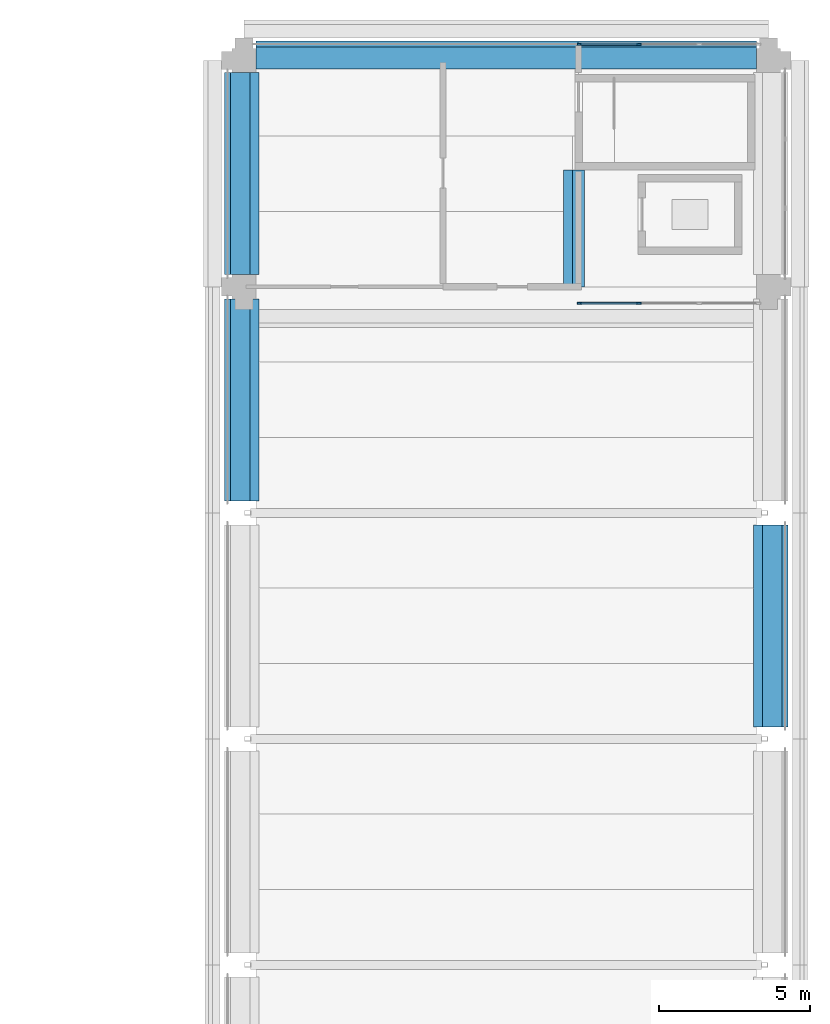
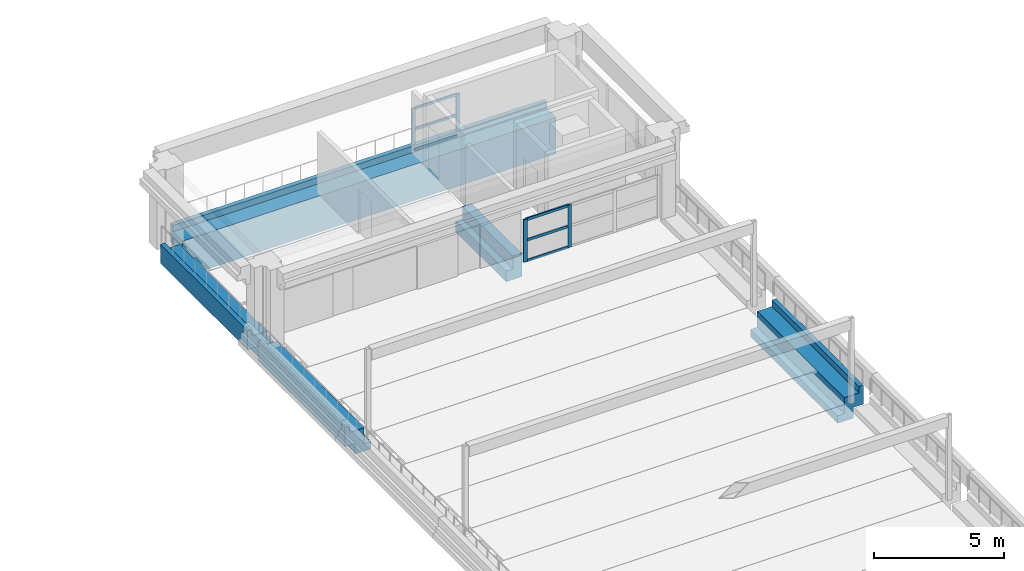
# One storey, part 32 of 62: 10 members, 5 beams, 2 elements without a shape of their own.
"""IFC4 building model written with IfcOpenShell, lengths in metres."""

import ifcopenshell
import ifcopenshell.guid

model = None  # the IFC model being written
_history = None  # IfcOwnerHistory: only IFC2X3 demands one
_inside = {}  # id of a spatial element -> (the spatial element, [elements in it])
_under = {}  # id of a project, library or spatial element -> (it, [spatial elements below it])
_declared = {}  # id of a project -> (the project, [libraries it declares])
_typed = {}  # id of a type object -> (the type object, [elements of that type])
_made_of = {}  # id of a material, layer set ... -> (it, [elements and type objects made of it])


def new_model(schema):
    """Start an empty IFC model of exactly this schema.

    Asked for "IFC4X3", IfcOpenShell would pick the latest addendum, in which some entities
    have other attributes; the version numbers below select the first issue.
    IFC2X3 requires an IfcOwnerHistory on every rooted entity: one is made here for all.
    """
    global model, _history
    if schema == "IFC4X3":
        model = ifcopenshell.file(schema_version=(4, 3, 0, 0))
    else:
        model = ifcopenshell.file(schema=schema)
    _inside.clear()
    _under.clear()
    _declared.clear()
    _typed.clear()
    _made_of.clear()
    _history = None
    if model.schema == "IFC2X3":
        org = make("IfcOrganization", Name="unknown")
        user = make(
            "IfcPersonAndOrganization",
            ThePerson=make("IfcPerson", FamilyName="unknown"),
            TheOrganization=org,
        )
        app = make(
            "IfcApplication",
            ApplicationDeveloper=org,
            Version="unknown",
            ApplicationFullName="unknown",
            ApplicationIdentifier="unknown",
        )
        _history = make(
            "IfcOwnerHistory",
            OwningUser=user,
            OwningApplication=app,
            ChangeAction="ADDED",
            CreationDate=0,
        )
    return model


def make(cls, **values):
    """One entity of the class cls with the attributes given. An attribute that is None is left unset."""
    return model.create_entity(
        cls, **{name: value for name, value in values.items() if value is not None}
    )


def rooted(cls, **values):
    """An entity with a GlobalId (a new one), such as an element, a storey or a relation."""
    return make(cls, GlobalId=ifcopenshell.guid.new(), OwnerHistory=_history, **values)


def si_unit(unit_type, name, prefix=None):
    """IfcSIUnit, for example si_unit("LENGTHUNIT", "METRE", prefix="MILLI")."""
    return make("IfcSIUnit", UnitType=unit_type, Prefix=prefix, Name=name)


def assignment(units):
    """IfcUnitAssignment: the units of a project."""
    return None if units is None else make("IfcUnitAssignment", Units=units)


def point(xyz):
    """IfcCartesianPoint."""
    return None if xyz is None else make("IfcCartesianPoint", Coordinates=xyz)


def direction(xyz):
    """IfcDirection."""
    return None if xyz is None else make("IfcDirection", DirectionRatios=xyz)


def frame(location, z_axis=None, x_axis=None):
    """IfcAxis2Placement3D, a coordinate frame: its origin and axes. An axis left out is left unset."""
    return make(
        "IfcAxis2Placement3D",
        Location=point(location),
        Axis=direction(z_axis),
        RefDirection=direction(x_axis),
    )


def frame_2d(location, x_axis=None):
    """IfcAxis2Placement2D, a coordinate frame in the plane: its origin and x axis."""
    return make(
        "IfcAxis2Placement2D", Location=point(location), RefDirection=direction(x_axis)
    )


def origin():
    """The frame at (0, 0, 0) with its axes left unset."""
    return frame((0.0, 0.0, 0.0))


def origin_2d():
    """The frame at (0, 0) in the plane with its x axis left unset."""
    return frame_2d((0.0, 0.0))


def place(relative_to, where):
    """IfcLocalPlacement: puts the frame where relative to a parent placement (None: the world)."""
    return make(
        "IfcLocalPlacement", PlacementRelTo=relative_to, RelativePlacement=where
    )


def context(
    kind, dimensions, precision=None, world=None, true_north=None, identifier=None
):
    """IfcGeometricRepresentationContext, for example the 3D "Model" context."""
    return make(
        "IfcGeometricRepresentationContext",
        ContextIdentifier=identifier,
        ContextType=kind,
        CoordinateSpaceDimension=dimensions,
        Precision=precision,
        WorldCoordinateSystem=world,
        TrueNorth=true_north,
    )


def subcontext(parent, identifier, kind, view, scale=None):
    """IfcGeometricRepresentationSubContext, for example "Body" below "Model"."""
    return make(
        "IfcGeometricRepresentationSubContext",
        ContextIdentifier=identifier,
        ContextType=kind,
        ParentContext=parent,
        TargetScale=scale,
        TargetView=view,
    )


def project(units=None, contexts=None):
    """IfcProject with its units and contexts."""
    return rooted(
        "IfcProject",
        Name="project",
        RepresentationContexts=contexts,
        UnitsInContext=assignment(units),
    )


def spatial(cls, under=None, at=None, **own):
    """A site, building, storey or space (cls), placed at a placement, below another one or the project."""
    s = rooted(cls, ObjectPlacement=at, **own)
    if under is not None:
        _under.setdefault(under.id(), (under, []))[1].append(s)
    return s


def polyline(points):
    """IfcPolyline through the points."""
    return make("IfcPolyline", Points=[point(p) for p in points])


def profile(cls, at=None, kind="AREA", **sizes):
    """A parametric profile (cls). Its sizes go by their IFC names, for example OverallWidth=200.0."""
    return make(cls, ProfileType=kind, Position=at, **sizes)


def rectangle(**sizes):
    """IfcRectangleProfileDef."""
    return profile("IfcRectangleProfileDef", **sizes)


def outline(outer, holes=None, kind="AREA"):
    """IfcArbitraryClosedProfileDef: a profile drawn as a closed curve; with holes, ...WithVoids."""
    if holes is None:
        return make("IfcArbitraryClosedProfileDef", ProfileType=kind, OuterCurve=outer)
    return make(
        "IfcArbitraryProfileDefWithVoids",
        ProfileType=kind,
        OuterCurve=outer,
        InnerCurves=holes,
    )


def extrude(swept, where, along, depth):
    """IfcExtrudedAreaSolid: the profile swept, set in the frame where, extruded along a direction by depth."""
    return make(
        "IfcExtrudedAreaSolid",
        SweptArea=swept,
        Position=where,
        ExtrudedDirection=direction(along),
        Depth=depth,
    )


def shape(context_of_items, identifier, shape_type, items):
    """IfcShapeRepresentation: the items that make up one representation, for example the "Body"."""
    return make(
        "IfcShapeRepresentation",
        ContextOfItems=context_of_items,
        RepresentationIdentifier=identifier,
        RepresentationType=shape_type,
        Items=items,
    )


def material(Name=None, Category=None):
    """IfcMaterial."""
    return make("IfcMaterial", Name=Name, Category=Category)


def layer(
    of_material, thickness, ventilated=None, Name=None, Category=None, Priority=None
):
    """IfcMaterialLayer: one layer of a wall or slab, of a material (None: an air gap)."""
    return make(
        "IfcMaterialLayer",
        Material=of_material,
        LayerThickness=thickness,
        IsVentilated=ventilated,
        Name=Name,
        Category=Category,
        Priority=Priority,
    )


def layer_set(layers, Name=None):
    """IfcMaterialLayerSet."""
    return make("IfcMaterialLayerSet", MaterialLayers=layers, LayerSetName=Name)


def material_profile(
    of_material, cross_section, Name=None, Category=None, Priority=None
):
    """IfcMaterialProfile: a cross section and its material."""
    return make(
        "IfcMaterialProfile",
        Name=Name,
        Material=of_material,
        Profile=cross_section,
        Priority=Priority,
        Category=Category,
    )


def profile_set(profiles, Name=None, composite=None):
    """IfcMaterialProfileSet."""
    return make(
        "IfcMaterialProfileSet",
        Name=Name,
        MaterialProfiles=profiles,
        CompositeProfile=composite,
    )


def made_of(thing, what):
    """Note that an element or type object is made of a material, layer set ...; save() writes the relation."""
    if what is not None:
        _made_of.setdefault(what.id(), (what, []))[1].append(thing)
    return thing


def type_object(cls, material=None, **own):
    """A type object (cls), such as IfcWallType, which elements share."""
    return made_of(rooted(cls, **own), material)


def element(
    cls,
    number,
    at=None,
    inside=None,
    cuts=None,
    type_object=None,
    material=None,
    context=None,
    identifier="Body",
    shape_type=None,
    held_by="IfcProductDefinitionShape",
    body=None,
    shapes=None,
    **own,
):
    """One element of the class cls, such as IfcWall. Its Tag is "e" and its number.

    at: its placement. inside: the storey or other place that contains it. cuts: it is an
    opening in that element (IfcRelVoidsElement). A single representation is given by context,
    identifier, shape_type and body (its items); several are given by shapes. held_by: the class
    of the entity that holds the representations. save() writes the other relations.
    """
    e = rooted(cls, Tag="e%d" % number, ObjectPlacement=at, **own)
    if body is not None:
        shapes = [shape(context, identifier, shape_type, body)]
    if shapes is not None:
        e.Representation = make(held_by, Representations=shapes)
    if inside is not None:
        _inside.setdefault(inside.id(), (inside, []))[1].append(e)
    if cuts is not None:
        rooted(
            "IfcRelVoidsElement", RelatingBuildingElement=cuts, RelatedOpeningElement=e
        )
    if type_object is not None:
        _typed.setdefault(type_object.id(), (type_object, []))[1].append(e)
    return made_of(e, material)


def aggregate(whole, parts):
    """IfcRelAggregates: a whole, such as a stair, and the parts it consists of."""
    return rooted("IfcRelAggregates", RelatingObject=whole, RelatedObjects=parts)


def save(model, path):
    """Write the relations noted so far, then the file.

    IfcRelAggregates (storeys below a building ...), IfcRelContainedInSpatialStructure (elements
    in a storey), IfcRelDefinesByType, IfcRelAssociatesMaterial and IfcRelDeclares: one each for
    every whole, place, type object, material and project.
    """
    for whole, parts in _under.values():
        aggregate(whole, parts)
    for where, things in _inside.values():
        rooted(
            "IfcRelContainedInSpatialStructure",
            RelatedElements=things,
            RelatingStructure=where,
        )
    for kind, things in _typed.values():
        rooted("IfcRelDefinesByType", RelatedObjects=things, RelatingType=kind)
    for what, things in _made_of.values():
        rooted("IfcRelAssociatesMaterial", RelatedObjects=things, RelatingMaterial=what)
    for by, libraries in _declared.values():
        rooted("IfcRelDeclares", RelatingContext=by, RelatedDefinitions=libraries)
    model.write(path)


model = new_model("IFC4")

# Units and contexts
model_context = context("Model", 3, precision=1e-05, world=origin(), true_north=direction((0.0, 1.0)))
body_context = subcontext(model_context, "Body", "Model", "MODEL_VIEW")
ifc_project = project(units=[si_unit("LENGTHUNIT", "METRE"), si_unit("AREAUNIT", "SQUARE_METRE"), si_unit("VOLUMEUNIT", "CUBIC_METRE"), si_unit("PLANEANGLEUNIT", "RADIAN"), si_unit("MASSUNIT", "GRAM", prefix="KILO")], contexts=[model_context])

# Site, building, storey
site_placement = place(None, origin())
site = spatial("IfcSite", under=ifc_project, at=site_placement, CompositionType="ELEMENT")
building_placement = place(site_placement, origin())
building = spatial("IfcBuilding", under=site, at=building_placement, Name="Cour d'Honneur Mobility Palace", CompositionType="ELEMENT")
storey_placement = place(building_placement, frame((0.0, 0.0, 19.300048828125)))
storey = spatial("IfcBuildingStorey", under=building, at=storey_placement, Name="L05", CompositionType="ELEMENT", Elevation=19.300048828125)

# Curtain wall, members
ifc_material_1 = material(Name="Aluminium and glass", Category="aluminium")
ifc_layer = layer(ifc_material_1, 0.10009765625)
ifc_layer_set = layer_set([ifc_layer], Name="Aluminium and glass")
curtain_wall_type = type_object("IfcCurtainWallType", Name="Curtain wall run", PredefinedType="NOTDEFINED", material=ifc_layer_set)
curtain_wall_1_placement = place(storey_placement, origin())
curtain_wall_1 = element("IfcCurtainWall", 1, at=curtain_wall_1_placement, inside=storey, type_object=curtain_wall_type, Name="Curtain wall CW-121", PredefinedType="NOTDEFINED")
ifc_material_2 = material(Name="Aluminium", Category="aluminium")
ifc_material_profile_1 = material_profile(ifc_material_2, rectangle(XDim=0.06005859375, YDim=0.159912109375, at=origin_2d()), Name="Curtain wall mullion")
ifc_profile_set_1 = profile_set([ifc_material_profile_1], Name="Aluminium")
member_type_1 = type_object("IfcMemberType", Name="Curtain wall mullion", PredefinedType="MULLION", material=ifc_profile_set_1)
member_1_placement = place(storey_placement, frame((158.0, 115.449951171875, 0.0), z_axis=(0.0, 0.0, 1.0), x_axis=(0.0, -1.0, 0.0)))
member_1 = element("IfcMember", 2, at=member_1_placement, type_object=member_type_1, Name="CW-121 mullion 3", PredefinedType="MULLION", context=body_context, shape_type="SweptSolid", body=[
    extrude(rectangle(XDim=0.06005859375, YDim=0.159912109375, at=origin_2d()), origin(), (0.0, 0.0, 1.0), 2.0),
])
member_2_placement = place(storey_placement, frame((156.030029296875, 115.449951171875, 0.0), z_axis=(0.0, 0.0, 1.0), x_axis=(0.0, -1.0, 0.0)))
member_2 = element("IfcMember", 3, at=member_2_placement, type_object=member_type_1, Name="CW-121 mullion 4", PredefinedType="MULLION", context=body_context, shape_type="SweptSolid", body=[
    extrude(rectangle(XDim=0.06005859375, YDim=0.159912109375, at=origin_2d()), origin(), (0.0, 0.0, 1.0), 2.0),
])

curtain_wall_2_placement = place(storey_placement, origin())
curtain_wall_2 = element("IfcCurtainWall", 4, at=curtain_wall_2_placement, inside=storey, type_object=curtain_wall_type, Name="Curtain wall CW-122", PredefinedType="NOTDEFINED")
member_3_placement = place(storey_placement, frame((156.030029296875, 106.85009765625, 0.0), z_axis=(0.0, 0.0, 1.0), x_axis=(0.0, 1.0, 0.0)))
member_3 = element("IfcMember", 5, at=member_3_placement, type_object=member_type_1, Name="CW-122 mullion 1", PredefinedType="MULLION", context=body_context, shape_type="SweptSolid", body=[
    extrude(rectangle(XDim=0.06005859375, YDim=0.159912109375, at=origin_2d()), origin(), (0.0, 0.0, 1.0), 2.0),
])
member_4_placement = place(storey_placement, frame((158.0, 106.85009765625, 0.0), z_axis=(0.0, 0.0, 1.0), x_axis=(0.0, 1.0, 0.0)))
member_4 = element("IfcMember", 6, at=member_4_placement, type_object=member_type_1, Name="CW-122 mullion 2", PredefinedType="MULLION", context=body_context, shape_type="SweptSolid", body=[
    extrude(rectangle(XDim=0.06005859375, YDim=0.159912109375, at=origin_2d()), origin(), (0.0, 0.0, 1.0), 2.0),
])

# Member
ifc_material_3 = material(Name="Aluminium", Category="aluminium")
ifc_material_profile_2 = material_profile(ifc_material_3, rectangle(XDim=0.06005859375, YDim=0.1201171875, at=origin_2d()), Name="Curtain wall transom")
ifc_profile_set_2 = profile_set([ifc_material_profile_2], Name="Aluminium")
member_type_2 = type_object("IfcMemberType", Name="Curtain wall transom", PredefinedType="USERDEFINED", material=ifc_profile_set_2)
member_5_placement = place(storey_placement, frame((157.969970703125, 115.449951171875, 0.030029296875), z_axis=(-1.0, 0.0, 0.0), x_axis=(0.0, -1.0, 0.0)))
member_5 = element("IfcMember", 7, at=member_5_placement, type_object=member_type_2, Name="CW-121 transom 3.1", ObjectType="TRANSOM", PredefinedType="USERDEFINED", context=body_context, shape_type="SweptSolid", body=[
    extrude(rectangle(XDim=0.06005859375, YDim=0.1201171875, at=origin_2d()), origin(), (0.0, 0.0, 1.0), 1.909912109375),
])

member_6_placement = place(storey_placement, frame((157.969970703125, 115.449951171875, 1.0), z_axis=(-1.0, 0.0, 0.0), x_axis=(0.0, -1.0, 0.0)))
member_6 = element("IfcMember", 8, at=member_6_placement, type_object=member_type_2, Name="CW-121 transom 3.2", ObjectType="TRANSOM", PredefinedType="USERDEFINED", context=body_context, shape_type="SweptSolid", body=[
    extrude(rectangle(XDim=0.06005859375, YDim=0.1201171875, at=origin_2d()), origin(), (0.0, 0.0, 1.0), 1.909912109375),
])

member_7_placement = place(storey_placement, frame((157.969970703125, 115.449951171875, 1.969970703125), z_axis=(-1.0, 0.0, 0.0), x_axis=(0.0, -1.0, 0.0)))
member_7 = element("IfcMember", 9, at=member_7_placement, type_object=member_type_2, Name="CW-121 transom 3.3", ObjectType="TRANSOM", PredefinedType="USERDEFINED", context=body_context, shape_type="SweptSolid", body=[
    extrude(rectangle(XDim=0.06005859375, YDim=0.1201171875, at=origin_2d()), origin(), (0.0, 0.0, 1.0), 1.909912109375),
])

aggregate(curtain_wall_1, [member_1, member_2, member_5, member_6, member_7])

member_8_placement = place(storey_placement, frame((156.06005859375, 106.85009765625, 0.030029296875), z_axis=(1.0, 0.0, 0.0), x_axis=(0.0, 1.0, 0.0)))
member_8 = element("IfcMember", 10, at=member_8_placement, type_object=member_type_2, Name="CW-122 transom 1.1", ObjectType="TRANSOM", PredefinedType="USERDEFINED", context=body_context, shape_type="SweptSolid", body=[
    extrude(rectangle(XDim=0.06005859375, YDim=0.1201171875, at=origin_2d()), origin(), (0.0, 0.0, 1.0), 1.909912109375),
])

member_9_placement = place(storey_placement, frame((156.06005859375, 106.85009765625, 1.0), z_axis=(1.0, 0.0, 0.0), x_axis=(0.0, 1.0, 0.0)))
member_9 = element("IfcMember", 11, at=member_9_placement, type_object=member_type_2, Name="CW-122 transom 1.2", ObjectType="TRANSOM", PredefinedType="USERDEFINED", context=body_context, shape_type="SweptSolid", body=[
    extrude(rectangle(XDim=0.06005859375, YDim=0.1201171875, at=origin_2d()), origin(), (0.0, 0.0, 1.0), 1.909912109375),
])

member_10_placement = place(storey_placement, frame((156.06005859375, 106.85009765625, 1.969970703125), z_axis=(1.0, 0.0, 0.0), x_axis=(0.0, 1.0, 0.0)))
member_10 = element("IfcMember", 12, at=member_10_placement, type_object=member_type_2, Name="CW-122 transom 1.3", ObjectType="TRANSOM", PredefinedType="USERDEFINED", context=body_context, shape_type="SweptSolid", body=[
    extrude(rectangle(XDim=0.06005859375, YDim=0.1201171875, at=origin_2d()), origin(), (0.0, 0.0, 1.0), 1.909912109375),
])

aggregate(curtain_wall_2, [member_3, member_4, member_8, member_9, member_10])

# Beams
ifc_material_4 = material(Name="Concrete C45", Category="concrete")
ifc_material_profile_3 = material_profile(ifc_material_4, outline(polyline([(0.27490234375, -1.699951171875), (0.27490234375, -0.60009765625), (0.64990234375, -0.60009765625), (0.64990234375, 0.300048828125), (0.449951171875, 0.300048828125), (0.449951171875, 0.0), (0.27490234375, 0.0), (-0.27490234375, 0.0), (-0.27490234375, -1.699951171875), (0.27490234375, -1.699951171875)])), Name="Edge Spandrel Beam 550x1700 no ledge facade left")
ifc_profile_set_3 = profile_set([ifc_material_profile_3], Name="Concrete C45")
beam_type_1 = type_object("IfcBeamType", Name="Edge Spandrel Beam 550x1700 no ledge facade left", PredefinedType="SPANDREL", material=ifc_profile_set_3)
beam_1_placement = place(storey_placement, frame((145.300048828125, 114.89990234375, 0.0), z_axis=(1.0, 0.0, 0.0), x_axis=(0.0, 1.0, 0.0)))
element("IfcBeam", 13, at=beam_1_placement, inside=storey, type_object=beam_type_1, Name="Precast beam B7 19-20 L05", PredefinedType="SPANDREL", context=body_context, shape_type="SweptSolid", body=[
    extrude(outline(polyline([(0.27490234375, -1.699951171875), (0.27490234375, -0.60009765625), (0.64990234375, -0.60009765625), (0.64990234375, 0.300048828125), (0.449951171875, 0.300048828125), (0.449951171875, 0.0), (0.27490234375, 0.0), (-0.27490234375, 0.0), (-0.27490234375, -1.699951171875), (0.27490234375, -1.699951171875)])), origin(), (0.0, 0.0, 1.0), 16.599853515625),
])
ifc_material_5 = material(Name="Concrete C45", Category="concrete")
ifc_material_profile_4 = material_profile(ifc_material_5, outline(polyline([(0.5, -1.10009765625), (0.5, -0.75), (0.199951171875, -0.75), (0.199951171875, 0.0), (-0.199951171875, 0.0), (-0.449951171875, 0.0), (-0.449951171875, 0.300048828125), (-0.64990234375, 0.300048828125), (-0.64990234375, -0.60009765625), (-0.199951171875, -0.60009765625), (-0.199951171875, -1.10009765625), (0.5, -1.10009765625)])), Name="Ledger Beam 400x1100 ledge left 350 facade right")
ifc_profile_set_4 = profile_set([ifc_material_profile_4], Name="Concrete C45")
beam_type_2 = type_object("IfcBeamType", Name="Ledger Beam 400x1100 ledge left 350 facade right", PredefinedType="BEAM", material=ifc_profile_set_4)
beam_2_placement = place(storey_placement, frame((162.300048828125, 92.800048828125, 0.0), z_axis=(0.0, 1.0, 0.0), x_axis=(-1.0, 0.0, 0.0)))
element("IfcBeam", 14, at=beam_2_placement, inside=storey, type_object=beam_type_2, Name="Precast beam B2 M-N L05", PredefinedType="BEAM", context=body_context, shape_type="SweptSolid", body=[
    extrude(outline(polyline([(0.5, -1.10009765625), (0.5, -0.75), (0.199951171875, -0.75), (0.199951171875, 0.0), (-0.199951171875, 0.0), (-0.449951171875, 0.0), (-0.449951171875, 0.300048828125), (-0.64990234375, 0.300048828125), (-0.64990234375, -0.60009765625), (-0.199951171875, -0.60009765625), (-0.199951171875, -1.10009765625), (0.5, -1.10009765625)])), origin(), (0.0, 0.0, 1.0), 6.699951171875),
])
ifc_material_6 = material(Name="Concrete C45", Category="concrete")
ifc_material_profile_5 = material_profile(ifc_material_6, outline(polyline([(0.5, -1.10009765625), (0.5, -0.60009765625), (0.199951171875, -0.60009765625), (0.199951171875, 0.0), (-0.199951171875, 0.0), (-0.199951171875, -1.10009765625), (0.5, -1.10009765625)])), Name="Ledger Beam 400x1100 ledge left 500 plain")
ifc_profile_set_5 = profile_set([ifc_material_profile_5], Name="Concrete C45")
beam_type_3 = type_object("IfcBeamType", Name="Ledger Beam 400x1100 ledge left 500 plain", PredefinedType="BEAM", material=ifc_profile_set_5)
beam_3_placement = place(storey_placement, frame((156.0, 107.39990234375, 0.0), z_axis=(0.0, 1.0, 0.0), x_axis=(-1.0, 0.0, 0.0)))
element("IfcBeam", 15, at=beam_3_placement, inside=storey, type_object=beam_type_3, Name="Precast beam B20 P- L05", PredefinedType="BEAM", context=body_context, shape_type="SweptSolid", body=[
    extrude(outline(polyline([(0.5, -1.10009765625), (0.5, -0.60009765625), (0.199951171875, -0.60009765625), (0.199951171875, 0.0), (-0.199951171875, 0.0), (-0.199951171875, -1.10009765625), (0.5, -1.10009765625)])), origin(), (0.0, 0.0, 1.0), 3.875),
])
ifc_material_7 = material(Name="Concrete C45", Category="concrete")
ifc_material_profile_6 = material_profile(ifc_material_7, outline(polyline([(0.199951171875, -1.10009765625), (0.199951171875, -0.60009765625), (0.64990234375, -0.60009765625), (0.64990234375, 0.300048828125), (0.449951171875, 0.300048828125), (0.449951171875, 0.0), (0.199951171875, 0.0), (-0.199951171875, 0.0), (-0.199951171875, -0.75), (-0.5, -0.75), (-0.5, -1.10009765625), (0.199951171875, -1.10009765625)])), Name="Ledger Beam 400x1100 ledge right 350 facade left")
ifc_profile_set_6 = profile_set([ifc_material_profile_6], Name="Concrete C45")
beam_type_4 = type_object("IfcBeamType", Name="Ledger Beam 400x1100 ledge right 350 facade left", PredefinedType="BEAM", material=ifc_profile_set_6)
beam_4_placement = place(storey_placement, frame((144.89990234375, 100.300048828125, 0.0), z_axis=(0.0, 1.0, 0.0), x_axis=(-1.0, 0.0, 0.0)))
element("IfcBeam", 16, at=beam_4_placement, inside=storey, type_object=beam_type_4, Name="Precast beam B4 N-P L05", PredefinedType="BEAM", context=body_context, shape_type="SweptSolid", body=[
    extrude(outline(polyline([(0.199951171875, -1.10009765625), (0.199951171875, -0.60009765625), (0.64990234375, -0.60009765625), (0.64990234375, 0.300048828125), (0.449951171875, 0.300048828125), (0.449951171875, 0.0), (0.199951171875, 0.0), (-0.199951171875, 0.0), (-0.199951171875, -0.75), (-0.5, -0.75), (-0.5, -1.10009765625), (0.199951171875, -1.10009765625)])), origin(), (0.0, 0.0, 1.0), 6.699951171875),
])
ifc_material_8 = material(Name="Concrete C45", Category="concrete")
ifc_material_profile_7 = material_profile(ifc_material_8, outline(polyline([(0.199951171875, -1.10009765625), (0.199951171875, -0.60009765625), (0.64990234375, -0.60009765625), (0.64990234375, 0.300048828125), (0.449951171875, 0.300048828125), (0.449951171875, 0.0), (0.199951171875, 0.0), (-0.199951171875, 0.0), (-0.199951171875, -0.60009765625), (-0.5, -0.60009765625), (-0.5, -1.10009765625), (0.199951171875, -1.10009765625)])), Name="Ledger Beam 400x1100 ledge right 500 facade left")
ifc_profile_set_7 = profile_set([ifc_material_profile_7], Name="Concrete C45")
beam_type_5 = type_object("IfcBeamType", Name="Ledger Beam 400x1100 ledge right 500 facade left", PredefinedType="BEAM", material=ifc_profile_set_7)
beam_5_placement = place(storey_placement, frame((144.89990234375, 107.800048828125, 0.0), z_axis=(0.0, 1.0, 0.0), x_axis=(-1.0, 0.0, 0.0)))
element("IfcBeam", 17, at=beam_5_placement, inside=storey, type_object=beam_type_5, Name="Precast beam B17 P-Q L05", PredefinedType="BEAM", context=body_context, shape_type="SweptSolid", body=[
    extrude(outline(polyline([(0.199951171875, -1.10009765625), (0.199951171875, -0.60009765625), (0.64990234375, -0.60009765625), (0.64990234375, 0.300048828125), (0.449951171875, 0.300048828125), (0.449951171875, 0.0), (0.199951171875, 0.0), (-0.199951171875, 0.0), (-0.199951171875, -0.60009765625), (-0.5, -0.60009765625), (-0.5, -1.10009765625), (0.199951171875, -1.10009765625)])), origin(), (0.0, 0.0, 1.0), 6.699951171875),
])

save(model, "model.ifc")
